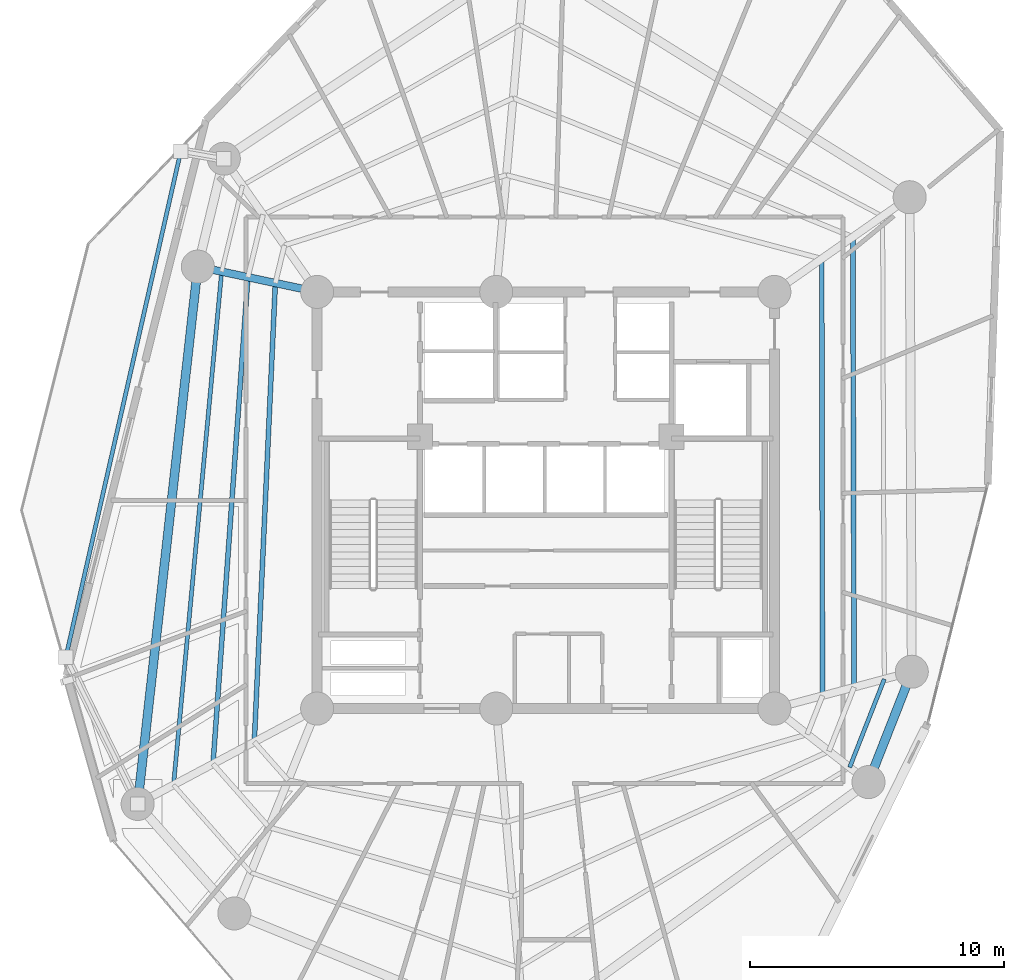
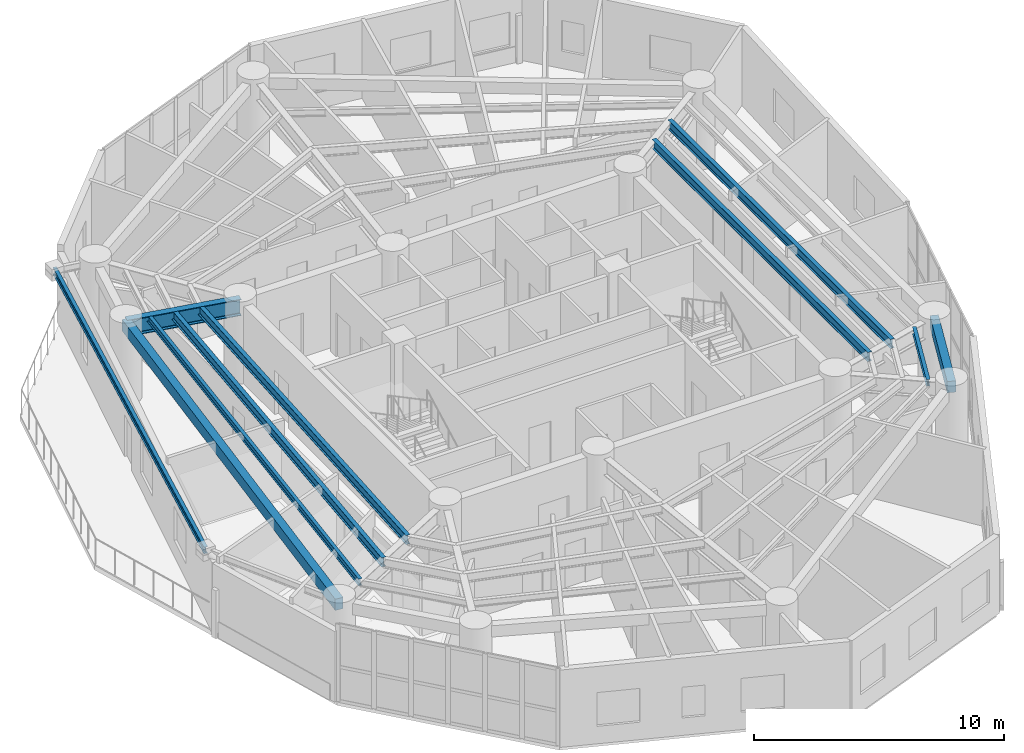
# One storey, part 3 of 14: 10 beams.
"""IFC4 building model written with IfcOpenShell, lengths in metres."""

import ifcopenshell
import ifcopenshell.guid

model = None  # the IFC model being written
_history = None  # IfcOwnerHistory: only IFC2X3 demands one
_inside = {}  # id of a spatial element -> (the spatial element, [elements in it])
_under = {}  # id of a project, library or spatial element -> (it, [spatial elements below it])
_declared = {}  # id of a project -> (the project, [libraries it declares])
_typed = {}  # id of a type object -> (the type object, [elements of that type])
_made_of = {}  # id of a material, layer set ... -> (it, [elements and type objects made of it])


def new_model(schema):
    """Start an empty IFC model of exactly this schema.

    Asked for "IFC4X3", IfcOpenShell would pick the latest addendum, in which some entities
    have other attributes; the version numbers below select the first issue.
    IFC2X3 requires an IfcOwnerHistory on every rooted entity: one is made here for all.
    """
    global model, _history
    if schema == "IFC4X3":
        model = ifcopenshell.file(schema_version=(4, 3, 0, 0))
    else:
        model = ifcopenshell.file(schema=schema)
    _inside.clear()
    _under.clear()
    _declared.clear()
    _typed.clear()
    _made_of.clear()
    _history = None
    if model.schema == "IFC2X3":
        org = make("IfcOrganization", Name="unknown")
        user = make(
            "IfcPersonAndOrganization",
            ThePerson=make("IfcPerson", FamilyName="unknown"),
            TheOrganization=org,
        )
        app = make(
            "IfcApplication",
            ApplicationDeveloper=org,
            Version="unknown",
            ApplicationFullName="unknown",
            ApplicationIdentifier="unknown",
        )
        _history = make(
            "IfcOwnerHistory",
            OwningUser=user,
            OwningApplication=app,
            ChangeAction="ADDED",
            CreationDate=0,
        )
    return model


def make(cls, **values):
    """One entity of the class cls with the attributes given. An attribute that is None is left unset."""
    return model.create_entity(
        cls, **{name: value for name, value in values.items() if value is not None}
    )


def rooted(cls, **values):
    """An entity with a GlobalId (a new one), such as an element, a storey or a relation."""
    return make(cls, GlobalId=ifcopenshell.guid.new(), OwnerHistory=_history, **values)


def si_unit(unit_type, name, prefix=None):
    """IfcSIUnit, for example si_unit("LENGTHUNIT", "METRE", prefix="MILLI")."""
    return make("IfcSIUnit", UnitType=unit_type, Prefix=prefix, Name=name)


def assignment(units):
    """IfcUnitAssignment: the units of a project."""
    return None if units is None else make("IfcUnitAssignment", Units=units)


def point(xyz):
    """IfcCartesianPoint."""
    return None if xyz is None else make("IfcCartesianPoint", Coordinates=xyz)


def direction(xyz):
    """IfcDirection."""
    return None if xyz is None else make("IfcDirection", DirectionRatios=xyz)


def frame(location, z_axis=None, x_axis=None):
    """IfcAxis2Placement3D, a coordinate frame: its origin and axes. An axis left out is left unset."""
    return make(
        "IfcAxis2Placement3D",
        Location=point(location),
        Axis=direction(z_axis),
        RefDirection=direction(x_axis),
    )


def frame_2d(location, x_axis=None):
    """IfcAxis2Placement2D, a coordinate frame in the plane: its origin and x axis."""
    return make(
        "IfcAxis2Placement2D", Location=point(location), RefDirection=direction(x_axis)
    )


def origin():
    """The frame at (0, 0, 0) with its axes left unset."""
    return frame((0.0, 0.0, 0.0))


def origin_with_axes():
    """The frame at (0, 0, 0) with the z axis (0, 0, 1) and the x axis (1, 0, 0) written out."""
    return frame((0.0, 0.0, 0.0), z_axis=(0.0, 0.0, 1.0), x_axis=(1.0, 0.0, 0.0))


def origin_2d():
    """The frame at (0, 0) in the plane with its x axis left unset."""
    return frame_2d((0.0, 0.0))


def place(relative_to, where):
    """IfcLocalPlacement: puts the frame where relative to a parent placement (None: the world)."""
    return make(
        "IfcLocalPlacement", PlacementRelTo=relative_to, RelativePlacement=where
    )


def context(
    kind, dimensions, precision=None, world=None, true_north=None, identifier=None
):
    """IfcGeometricRepresentationContext, for example the 3D "Model" context."""
    return make(
        "IfcGeometricRepresentationContext",
        ContextIdentifier=identifier,
        ContextType=kind,
        CoordinateSpaceDimension=dimensions,
        Precision=precision,
        WorldCoordinateSystem=world,
        TrueNorth=true_north,
    )


def subcontext(parent, identifier, kind, view, scale=None):
    """IfcGeometricRepresentationSubContext, for example "Body" below "Model"."""
    return make(
        "IfcGeometricRepresentationSubContext",
        ContextIdentifier=identifier,
        ContextType=kind,
        ParentContext=parent,
        TargetScale=scale,
        TargetView=view,
    )


def project(units=None, contexts=None):
    """IfcProject with its units and contexts."""
    return rooted(
        "IfcProject",
        Name="project",
        RepresentationContexts=contexts,
        UnitsInContext=assignment(units),
    )


def spatial(cls, under=None, at=None, **own):
    """A site, building, storey or space (cls), placed at a placement, below another one or the project."""
    s = rooted(cls, ObjectPlacement=at, **own)
    if under is not None:
        _under.setdefault(under.id(), (under, []))[1].append(s)
    return s


def profile(cls, at=None, kind="AREA", **sizes):
    """A parametric profile (cls). Its sizes go by their IFC names, for example OverallWidth=200.0."""
    return make(cls, ProfileType=kind, Position=at, **sizes)


def rectangle(**sizes):
    """IfcRectangleProfileDef."""
    return profile("IfcRectangleProfileDef", **sizes)


def i_section(**sizes):
    """IfcIShapeProfileDef."""
    return profile("IfcIShapeProfileDef", **sizes)


def extrude(swept, where, along, depth):
    """IfcExtrudedAreaSolid: the profile swept, set in the frame where, extruded along a direction by depth."""
    return make(
        "IfcExtrudedAreaSolid",
        SweptArea=swept,
        Position=where,
        ExtrudedDirection=direction(along),
        Depth=depth,
    )


def shape(context_of_items, identifier, shape_type, items):
    """IfcShapeRepresentation: the items that make up one representation, for example the "Body"."""
    return make(
        "IfcShapeRepresentation",
        ContextOfItems=context_of_items,
        RepresentationIdentifier=identifier,
        RepresentationType=shape_type,
        Items=items,
    )


def source(mapping_origin, context_of_items, identifier, shape_type, items):
    """IfcRepresentationMap: a shape defined once, which mapped items show again and again."""
    return make(
        "IfcRepresentationMap",
        MappingOrigin=mapping_origin,
        MappedRepresentation=shape(context_of_items, identifier, shape_type, items),
    )


def transform(
    local_origin,
    x_axis=None,
    y_axis=None,
    z_axis=None,
    scale=None,
    scale2=None,
    scale3=None,
    uniform=True,
):
    """IfcCartesianTransformationOperator3D, or its non-uniform kind. x_axis, y_axis, z_axis: its Axis1, 2, 3."""
    if uniform:
        return make(
            "IfcCartesianTransformationOperator3D",
            Axis1=direction(x_axis),
            Axis2=direction(y_axis),
            LocalOrigin=point(local_origin),
            Scale=scale,
            Axis3=direction(z_axis),
        )
    return make(
        "IfcCartesianTransformationOperator3DnonUniform",
        Axis1=direction(x_axis),
        Axis2=direction(y_axis),
        LocalOrigin=point(local_origin),
        Scale=scale,
        Axis3=direction(z_axis),
        Scale2=scale2,
        Scale3=scale3,
    )


def mapped(mapping_source, mapping_target):
    """IfcMappedItem: shows the shape of a source again, moved by a transform."""
    return make(
        "IfcMappedItem", MappingSource=mapping_source, MappingTarget=mapping_target
    )


def material(Name=None, Category=None):
    """IfcMaterial."""
    return make("IfcMaterial", Name=Name, Category=Category)


def material_profile(
    of_material, cross_section, Name=None, Category=None, Priority=None
):
    """IfcMaterialProfile: a cross section and its material."""
    return make(
        "IfcMaterialProfile",
        Name=Name,
        Material=of_material,
        Profile=cross_section,
        Priority=Priority,
        Category=Category,
    )


def profile_set(profiles, Name=None, composite=None):
    """IfcMaterialProfileSet."""
    return make(
        "IfcMaterialProfileSet",
        Name=Name,
        MaterialProfiles=profiles,
        CompositeProfile=composite,
    )


def made_of(thing, what):
    """Note that an element or type object is made of a material, layer set ...; save() writes the relation."""
    if what is not None:
        _made_of.setdefault(what.id(), (what, []))[1].append(thing)
    return thing


def type_object(cls, material=None, **own):
    """A type object (cls), such as IfcWallType, which elements share."""
    return made_of(rooted(cls, **own), material)


def element(
    cls,
    number,
    at=None,
    inside=None,
    cuts=None,
    type_object=None,
    material=None,
    context=None,
    identifier="Body",
    shape_type=None,
    held_by="IfcProductDefinitionShape",
    body=None,
    shapes=None,
    **own,
):
    """One element of the class cls, such as IfcWall. Its Tag is "e" and its number.

    at: its placement. inside: the storey or other place that contains it. cuts: it is an
    opening in that element (IfcRelVoidsElement). A single representation is given by context,
    identifier, shape_type and body (its items); several are given by shapes. held_by: the class
    of the entity that holds the representations. save() writes the other relations.
    """
    e = rooted(cls, Tag="e%d" % number, ObjectPlacement=at, **own)
    if body is not None:
        shapes = [shape(context, identifier, shape_type, body)]
    if shapes is not None:
        e.Representation = make(held_by, Representations=shapes)
    if inside is not None:
        _inside.setdefault(inside.id(), (inside, []))[1].append(e)
    if cuts is not None:
        rooted(
            "IfcRelVoidsElement", RelatingBuildingElement=cuts, RelatedOpeningElement=e
        )
    if type_object is not None:
        _typed.setdefault(type_object.id(), (type_object, []))[1].append(e)
    return made_of(e, material)


def aggregate(whole, parts):
    """IfcRelAggregates: a whole, such as a stair, and the parts it consists of."""
    return rooted("IfcRelAggregates", RelatingObject=whole, RelatedObjects=parts)


def save(model, path):
    """Write the relations noted so far, then the file.

    IfcRelAggregates (storeys below a building ...), IfcRelContainedInSpatialStructure (elements
    in a storey), IfcRelDefinesByType, IfcRelAssociatesMaterial and IfcRelDeclares: one each for
    every whole, place, type object, material and project.
    """
    for whole, parts in _under.values():
        aggregate(whole, parts)
    for where, things in _inside.values():
        rooted(
            "IfcRelContainedInSpatialStructure",
            RelatedElements=things,
            RelatingStructure=where,
        )
    for kind, things in _typed.values():
        rooted("IfcRelDefinesByType", RelatedObjects=things, RelatingType=kind)
    for what, things in _made_of.values():
        rooted("IfcRelAssociatesMaterial", RelatedObjects=things, RelatingMaterial=what)
    for by, libraries in _declared.values():
        rooted("IfcRelDeclares", RelatingContext=by, RelatedDefinitions=libraries)
    model.write(path)


model = new_model("IFC4")

# Units and contexts
model_context = context("Model", 3, precision=1e-05, world=origin(), true_north=direction((0.0, 1.0)))
body_context = subcontext(model_context, "Body", "Model", "MODEL_VIEW")
ifc_project = project(units=[si_unit("LENGTHUNIT", "METRE"), si_unit("AREAUNIT", "SQUARE_METRE"), si_unit("VOLUMEUNIT", "CUBIC_METRE"), si_unit("PLANEANGLEUNIT", "RADIAN"), si_unit("MASSUNIT", "GRAM", prefix="KILO")], contexts=[model_context])

# Site, building, storey
site_placement = place(None, origin())
site = spatial("IfcSite", under=ifc_project, at=site_placement, CompositionType="ELEMENT")
building_placement = place(site_placement, origin())
building = spatial("IfcBuilding", under=site, at=building_placement, Name="Karkom Vertical University and Central Library", CompositionType="ELEMENT")
storey_placement = place(building_placement, frame((0.0, 0.0, 152.550048828125)))
storey = spatial("IfcBuildingStorey", under=building, at=storey_placement, Name="L43", CompositionType="ELEMENT", Elevation=152.550048828125)

# Beams
ifc_material_1 = material(Name="Steel S355", Category="steel")
ifc_material_profile_1 = material_profile(ifc_material_1, i_section(OverallWidth=0.300048828125, OverallDepth=0.800048828125, WebThickness=0.017578125, FlangeThickness=0.032958984375, FilletRadius=0.030029296875, at=origin_2d()), Name="HE 800 B")
ifc_profile_set_1 = profile_set([ifc_material_profile_1], Name="Steel S355")
beam_type_1 = type_object("IfcBeamType", Name="STR-BM-SB-HE800", PredefinedType="USERDEFINED", material=ifc_profile_set_1)
shared_shape_1 = source(origin_with_axes(), body_context, "Body", "SweptSolid", [
    extrude(i_section(OverallWidth=0.300048828125, OverallDepth=0.800048828125, WebThickness=0.017578125, FlangeThickness=0.032958984375, FilletRadius=0.030029296875, at=origin_2d()), origin(), (0.0, 0.0, 1.0), 4.800048828125),
])
beam_1_placement = place(storey_placement, frame((19.5, 34.699951171875, 3.375), z_axis=(-0.978144241295, 0.207927495108, 0.0), x_axis=(-0.207927495108, -0.978144241295, 0.0)))
element("IfcBeam", 1, at=beam_1_placement, inside=storey, type_object=beam_type_1, Name="Level 43 Radial Frame Girder 05", ObjectType="GIRDER", PredefinedType="USERDEFINED", context=body_context, shape_type="MappedRepresentation", body=[
    mapped(shared_shape_1, transform((0.0, 0.0, 0.0), scale=1.0)),
])
ifc_material_2 = material(Name="Precast concrete C45/55", Category="concrete")
ifc_material_profile_2 = material_profile(ifc_material_2, rectangle(XDim=0.35009765625, YDim=0.550048828125, at=origin_2d()), Name="SPB-350x550")
ifc_profile_set_2 = profile_set([ifc_material_profile_2], Name="Precast concrete C45/55")
beam_type_2 = type_object("IfcBeamType", Name="STR-BM-SP-2", PredefinedType="SPANDREL", material=ifc_profile_set_2)
shared_shape_2 = source(origin_with_axes(), body_context, "Body", "SweptSolid", [
    extrude(rectangle(XDim=0.35009765625, YDim=0.550048828125, at=origin_2d()), origin(), (0.0, 0.0, 1.0), 21.286376953125),
])
beam_2_placement = place(storey_placement, frame((14.804931640625, 35.697998046875, 3.5), z_axis=(-0.111287493264, -0.993788254028, 0.0), x_axis=(0.993788254028, -0.111287493264, 0.0)))
element("IfcBeam", 2, at=beam_2_placement, inside=storey, type_object=beam_type_2, Name="Level 43 Perimeter Spandrel Beam 05", PredefinedType="SPANDREL", context=body_context, shape_type="MappedRepresentation", body=[
    mapped(shared_shape_2, transform((0.0, 0.0, 0.0), scale=1.0)),
])
shared_shape_3 = source(origin_with_axes(), body_context, "Body", "SweptSolid", [
    extrude(rectangle(XDim=0.35009765625, YDim=0.550048828125, at=origin_2d()), origin(), (0.0, 0.0, 1.0), 4.66552734375),
])
beam_3_placement = place(storey_placement, frame((41.2041015625, 15.406005859375, 3.5), z_axis=(0.365401419454, 0.930850043058, 0.0), x_axis=(-0.930850043058, 0.365401419454, 0.0)))
element("IfcBeam", 3, at=beam_3_placement, inside=storey, type_object=beam_type_2, Name="Level 43 Perimeter Spandrel Beam 09", PredefinedType="SPANDREL", context=body_context, shape_type="MappedRepresentation", body=[
    mapped(shared_shape_3, transform((0.0, 0.0, 0.0), scale=1.0)),
])
ifc_material_profile_3 = material_profile(ifc_material_1, i_section(OverallWidth=0.18994140625, OverallDepth=0.449951171875, WebThickness=0.009521484375, FlangeThickness=0.0146484375, FilletRadius=0.02099609375, at=origin_2d()), Name="IPE 450")
ifc_profile_set_3 = profile_set([ifc_material_profile_3], Name="Steel S355")
beam_type_3 = type_object("IfcBeamType", Name="STR-BM-SB-IPE450", PredefinedType="BEAM", material=ifc_profile_set_3)
shared_shape_4 = source(origin_with_axes(), body_context, "Body", "SweptSolid", [
    extrude(i_section(OverallWidth=0.18994140625, OverallDepth=0.449951171875, WebThickness=0.009521484375, FlangeThickness=0.0146484375, FilletRadius=0.02099609375, at=origin_2d()), origin(), (0.0, 0.0, 1.0), 17.19775390625),
])
beam_4_placement = place(storey_placement, frame((39.39306640625, 18.80712890625, 3.550048828125), z_axis=(-0.001731918699, 0.999998500228, 0.0), x_axis=(-0.999998500228, -0.001731918699, 0.0)))
element("IfcBeam", 4, at=beam_4_placement, inside=storey, type_object=beam_type_3, Name="Level 43 Secondary Composite Floor Beam 1.01", PredefinedType="BEAM", context=body_context, shape_type="MappedRepresentation", body=[
    mapped(shared_shape_4, transform((0.0, 0.0, 0.0), scale=1.0)),
])
shared_shape_5 = source(origin_with_axes(), body_context, "Body", "SweptSolid", [
    extrude(i_section(OverallWidth=0.18994140625, OverallDepth=0.449951171875, WebThickness=0.009521484375, FlangeThickness=0.0146484375, FilletRadius=0.02099609375, at=origin_2d()), origin(), (0.0, 0.0, 1.0), 18.0830078125),
])
beam_5_placement = place(storey_placement, frame((17.856689453125, 35.04931640625, 3.550048828125), z_axis=(-0.04584982532, -0.998948343769, 0.0), x_axis=(0.998948343769, -0.04584982532, 0.0)))
element("IfcBeam", 5, at=beam_5_placement, inside=storey, type_object=beam_type_3, Name="Level 43 Secondary Composite Floor Beam 1.05", PredefinedType="BEAM", context=body_context, shape_type="MappedRepresentation", body=[
    mapped(shared_shape_5, transform((0.0, 0.0, 0.0), scale=1.0)),
])
shared_shape_6 = source(origin_with_axes(), body_context, "Body", "SweptSolid", [
    extrude(i_section(OverallWidth=0.18994140625, OverallDepth=0.449951171875, WebThickness=0.009521484375, FlangeThickness=0.0146484375, FilletRadius=0.02099609375, at=origin_2d()), origin(), (0.0, 0.0, 1.0), 17.721923828125),
])
beam_6_placement = place(storey_placement, frame((40.63720703125, 19.140380859375, 3.550048828125), z_axis=(-0.002782780006, 0.99999612806, 0.0), x_axis=(-0.99999612806, -0.002782780006, 0.0)))
element("IfcBeam", 6, at=beam_6_placement, inside=storey, type_object=beam_type_3, Name="Level 43 Secondary Composite Floor Beam 2.01", PredefinedType="BEAM", context=body_context, shape_type="MappedRepresentation", body=[
    mapped(shared_shape_6, transform((0.0, 0.0, 0.0), scale=1.0)),
])
shared_shape_7 = source(origin_with_axes(), body_context, "Body", "SweptSolid", [
    extrude(i_section(OverallWidth=0.18994140625, OverallDepth=0.449951171875, WebThickness=0.009521484375, FlangeThickness=0.0146484375, FilletRadius=0.02099609375, at=origin_2d()), origin(), (0.0, 0.0, 1.0), 19.20654296875),
])
beam_7_placement = place(storey_placement, frame((16.77685546875, 35.27880859375, 3.550048828125), z_axis=(-0.071539731632, -0.997437750839, 0.0), x_axis=(0.997437750839, -0.071539731632, 0.0)))
element("IfcBeam", 7, at=beam_7_placement, inside=storey, type_object=beam_type_3, Name="Level 43 Secondary Composite Floor Beam 2.05", PredefinedType="BEAM", context=body_context, shape_type="MappedRepresentation", body=[
    mapped(shared_shape_7, transform((0.0, 0.0, 0.0), scale=1.0)),
])
ifc_material_profile_4 = material_profile(ifc_material_1, i_section(OverallWidth=0.159912109375, OverallDepth=0.330078125, WebThickness=0.007568359375, FlangeThickness=0.011474609375, FilletRadius=0.01806640625, at=origin_2d()), Name="IPE 330")
ifc_profile_set_4 = profile_set([ifc_material_profile_4], Name="Steel S355")
beam_type_4 = type_object("IfcBeamType", Name="STR-BM-SB-IPE330", PredefinedType="BEAM", material=ifc_profile_set_4)
shared_shape_8 = source(origin_with_axes(), body_context, "Body", "SweptSolid", [
    extrude(i_section(OverallWidth=0.159912109375, OverallDepth=0.330078125, WebThickness=0.007568359375, FlangeThickness=0.011474609375, FilletRadius=0.01806640625, at=origin_2d()), origin(), (0.0, 0.0, 1.0), 20.291748046875),
])
beam_8_placement = place(storey_placement, frame((15.743896484375, 35.498291015625, 3.60986328125), z_axis=(-0.093388415244, -0.995629752417, 0.0), x_axis=(0.995629752417, -0.093388415244, 0.0)))
element("IfcBeam", 8, at=beam_8_placement, inside=storey, type_object=beam_type_4, Name="Level 43 Secondary Composite Floor Beam 3.05", PredefinedType="BEAM", context=body_context, shape_type="MappedRepresentation", body=[
    mapped(shared_shape_8, transform((0.0, 0.0, 0.0), scale=1.0)),
])
shared_shape_9 = source(origin_with_axes(), body_context, "Body", "SweptSolid", [
    extrude(i_section(OverallWidth=0.159912109375, OverallDepth=0.330078125, WebThickness=0.007568359375, FlangeThickness=0.011474609375, FilletRadius=0.01806640625, at=origin_2d()), origin(), (0.0, 0.0, 1.0), 3.732421875),
])
beam_9_placement = place(storey_placement, frame((40.463134765625, 15.98486328125, 3.60986328125), z_axis=(0.365439874109, 0.930834946922, 0.0), x_axis=(-0.930834946922, 0.365439874109, 0.0)))
element("IfcBeam", 9, at=beam_9_placement, inside=storey, type_object=beam_type_4, Name="Level 43 Secondary Composite Floor Beam 3.09", PredefinedType="BEAM", context=body_context, shape_type="MappedRepresentation", body=[
    mapped(shared_shape_9, transform((0.0, 0.0, 0.0), scale=1.0)),
])
shared_shape_10 = source(origin_with_axes(), body_context, "Body", "SweptSolid", [
    extrude(i_section(OverallWidth=0.159912109375, OverallDepth=0.330078125, WebThickness=0.007568359375, FlangeThickness=0.011474609375, FilletRadius=0.01806640625, at=origin_2d()), origin(), (0.0, 0.0, 1.0), 20.430908203125),
])
beam_10_placement = place(storey_placement, frame((14.134765625, 40.239501953125, 3.60986328125), z_axis=(-0.221546212303, -0.975149873514, 0.0), x_axis=(0.975149873514, -0.221546212303, 0.0)))
element("IfcBeam", 10, at=beam_10_placement, inside=storey, type_object=beam_type_4, Name="Level 43 Sky Garden Perimeter Edge Beam", PredefinedType="BEAM", context=body_context, shape_type="MappedRepresentation", body=[
    mapped(shared_shape_10, transform((0.0, 0.0, 0.0), scale=1.0)),
])

save(model, "model.ifc")
